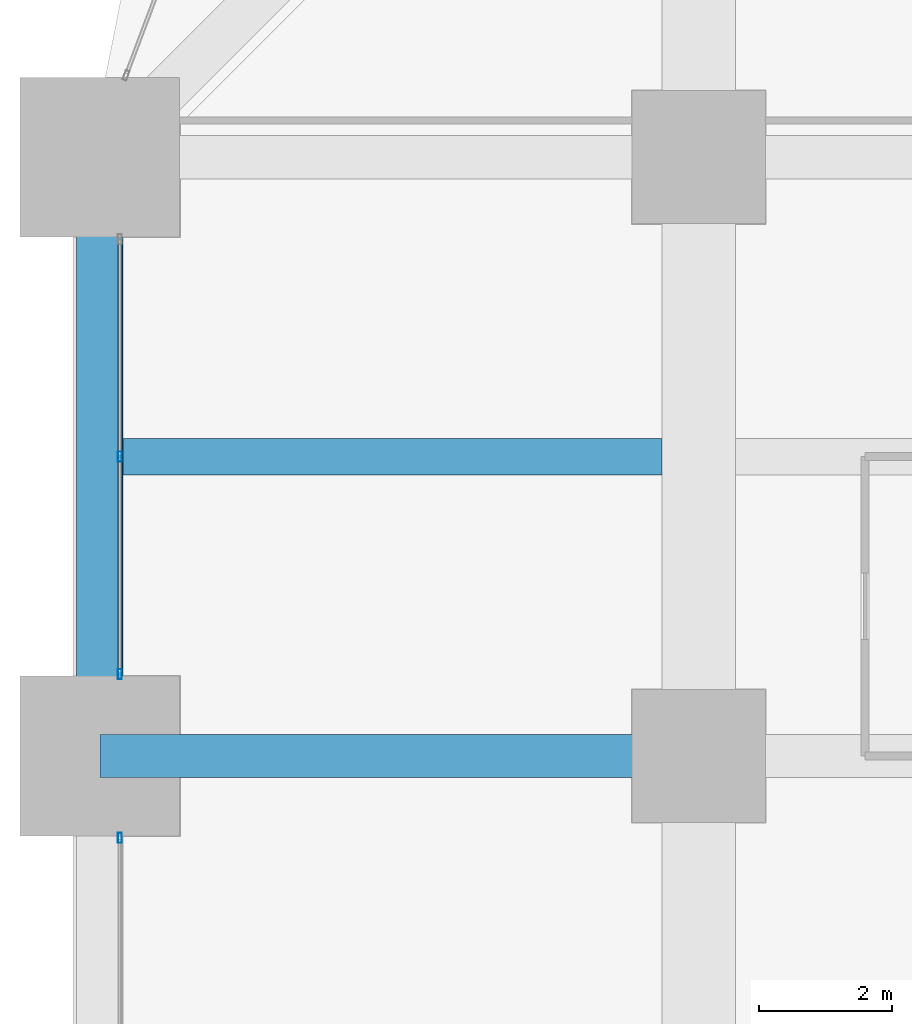
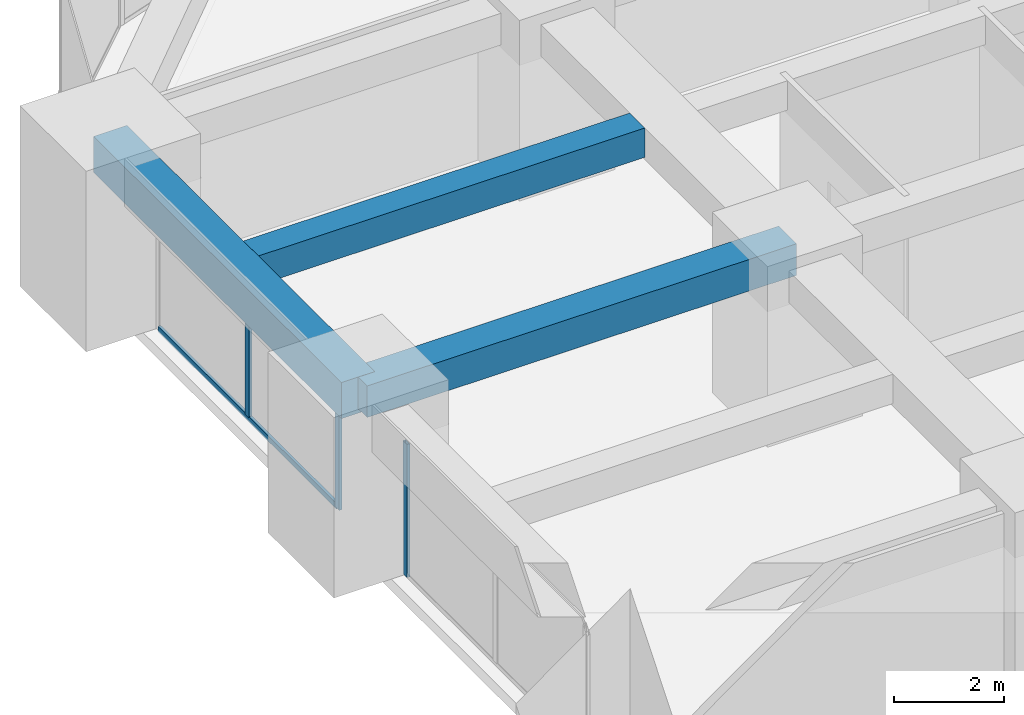
# One storey, part 11 of 39: 4 members, 3 beams, 2 elements without a shape of their own.
"""IFC4 building model written with IfcOpenShell, lengths in metres."""

from ifc_helpers import new_model, si_unit, direction, frame, origin, origin_2d, place, context, subcontext, project, spatial, rectangle, hollow_rectangle, extrude, material, material_profile, profile_set, type_object, element, aggregate, save


model = new_model("IFC4")

# Units and contexts
model_context = context("Model", 3, precision=1e-05, world=origin(), true_north=direction((0.0, 1.0)))
body_context = subcontext(model_context, "Body", "Model", "MODEL_VIEW")
ifc_project = project(units=[si_unit("LENGTHUNIT", "METRE"), si_unit("AREAUNIT", "SQUARE_METRE"), si_unit("VOLUMEUNIT", "CUBIC_METRE"), si_unit("PLANEANGLEUNIT", "RADIAN"), si_unit("MASSUNIT", "GRAM", prefix="KILO")], contexts=[model_context])

# Site, building, storey
site_placement = place(None, origin())
site = spatial("IfcSite", under=ifc_project, at=site_placement, CompositionType="ELEMENT")
building_placement = place(site_placement, origin())
building = spatial("IfcBuilding", under=site, at=building_placement, Name="Zorevar Civic Tower", CompositionType="ELEMENT")
storey_placement = place(building_placement, frame((0.0, 0.0, 117.0)))
storey = spatial("IfcBuildingStorey", under=building, at=storey_placement, Name="L28", CompositionType="ELEMENT", Elevation=117.0)

# Beams
ifc_material_1 = material(Name="Concrete C50/60", Category="concrete")
ifc_material_profile_1 = material_profile(ifc_material_1, rectangle(XDim=0.550048828125, YDim=0.64990234375, at=origin_2d()), Name="RC 550x650")
ifc_profile_set_1 = profile_set([ifc_material_profile_1], Name="Concrete C50/60")
beam_type_1 = type_object("IfcBeamType", Name="Beam RC 550x650", PredefinedType="BEAM", material=ifc_profile_set_1)
beam_1_placement = place(storey_placement, frame((0.35009765625, 31.5, 3.425048828125), z_axis=(1.0, 0.0, 0.0), x_axis=(0.0, 1.0, 0.0)))
element("IfcBeam", 1, at=beam_1_placement, inside=storey, type_object=beam_type_1, Name="Secondary beam L29", PredefinedType="BEAM", context=body_context, shape_type="SweptSolid", body=[
    extrude(rectangle(XDim=0.550048828125, YDim=0.64990234375, at=origin_2d()), origin(), (0.0, 0.0, 1.0), 8.099853515625),
])
ifc_material_2 = material(Name="Concrete C50/60", Category="concrete")
ifc_material_profile_2 = material_profile(ifc_material_2, rectangle(XDim=0.64990234375, YDim=0.699951171875, at=origin_2d()), Name="RC 650x700")
ifc_profile_set_2 = profile_set([ifc_material_profile_2], Name="Concrete C50/60")
beam_type_2 = type_object("IfcBeamType", Name="Beam RC 650x700", PredefinedType="BEAM", material=ifc_profile_set_2)
beam_2_placement = place(storey_placement, frame((0.0, 27.0, 3.39990234375), z_axis=(1.0, 0.0, 0.0), x_axis=(0.0, 1.0, 0.0)))
element("IfcBeam", 2, at=beam_2_placement, inside=storey, type_object=beam_type_2, Name="Girder L29", PredefinedType="BEAM", context=body_context, shape_type="SweptSolid", body=[
    extrude(rectangle(XDim=0.64990234375, YDim=0.699951171875, at=origin_2d()), origin(), (0.0, 0.0, 1.0), 9.0),
])

# Curtain wall, member
ifc_material_3 = material(Name="Dark grey solar-control glass in black aluminium frame", Category="aluminium")
curtain_wall_type = type_object("IfcCurtainWallType", Name="Curtain wall CW3 mid zone", PredefinedType="NOTDEFINED", material=ifc_material_3)
curtain_wall_1_placement = place(storey_placement, origin())
curtain_wall_1 = element("IfcCurtainWall", 3, at=curtain_wall_1_placement, inside=storey, type_object=curtain_wall_type, Name="CW3 L28", PredefinedType="NOTDEFINED")
ifc_material_4 = material(Name="Aluminium, black anodised", Category="aluminium")
ifc_material_profile_3 = material_profile(ifc_material_4, hollow_rectangle(XDim=0.06005859375, YDim=0.14990234375, WallThickness=0.00390625, at=origin_2d()), Name="AL 150x60x4")
ifc_profile_set_3 = profile_set([ifc_material_profile_3], Name="Aluminium, black anodised")
member_type_1 = type_object("IfcMemberType", Name="CW3 mullion AL 150x60x4", PredefinedType="MULLION", material=ifc_profile_set_3)
member_1_placement = place(storey_placement, frame((0.300048828125, 25.77001953125, 0.0), z_axis=(0.0, 0.0, 1.0), x_axis=(-1.0, 0.0, 0.0)))
member_1 = element("IfcMember", 4, at=member_1_placement, type_object=member_type_1, Name="CW3 mullion 3", PredefinedType="MULLION", context=body_context, shape_type="SweptSolid", body=[
    extrude(hollow_rectangle(XDim=0.06005859375, YDim=0.14990234375, WallThickness=0.00390625, at=origin_2d()), origin(), (0.0, 0.0, 1.0), 2.949951171875),
])
aggregate(curtain_wall_1, [member_1])

# Curtain wall, members
curtain_wall_2_placement = place(storey_placement, origin())
curtain_wall_2 = element("IfcCurtainWall", 5, at=curtain_wall_2_placement, inside=storey, type_object=curtain_wall_type, Name="CW3 L28", PredefinedType="NOTDEFINED")
member_2_placement = place(storey_placement, frame((0.300048828125, 28.22998046875, 0.0), z_axis=(0.0, 0.0, 1.0), x_axis=(-1.0, 0.0, 0.0)))
member_2 = element("IfcMember", 6, at=member_2_placement, type_object=member_type_1, Name="CW3 mullion 1", PredefinedType="MULLION", context=body_context, shape_type="SweptSolid", body=[
    extrude(hollow_rectangle(XDim=0.06005859375, YDim=0.14990234375, WallThickness=0.00390625, at=origin_2d()), origin(), (0.0, 0.0, 1.0), 2.949951171875),
])
member_3_placement = place(storey_placement, frame((0.300048828125, 31.5, 0.06005859375), z_axis=(0.0, 0.0, 1.0), x_axis=(-1.0, 0.0, 0.0)))
member_3 = element("IfcMember", 7, at=member_3_placement, type_object=member_type_1, Name="CW3 mullion 2", PredefinedType="MULLION", context=body_context, shape_type="SweptSolid", body=[
    extrude(hollow_rectangle(XDim=0.06005859375, YDim=0.14990234375, WallThickness=0.00390625, at=origin_2d()), origin(), (0.0, 0.0, 1.0), 2.889892578125),
])
ifc_material_5 = material(Name="Aluminium, black anodised", Category="aluminium")
ifc_material_profile_4 = material_profile(ifc_material_5, hollow_rectangle(XDim=0.06005859375, YDim=0.1201171875, WallThickness=0.0029296875, at=origin_2d()), Name="AL 120x60x3")
ifc_profile_set_4 = profile_set([ifc_material_profile_4], Name="Aluminium, black anodised")
member_type_2 = type_object("IfcMemberType", Name="CW3 transom AL 120x60x3", PredefinedType="USERDEFINED", material=ifc_profile_set_4)
member_4_placement = place(storey_placement, frame((0.300048828125, 28.260009765625, 0.030029296875), z_axis=(0.0, 1.0, 0.0), x_axis=(-1.0, 0.0, 0.0)))
member_4 = element("IfcMember", 8, at=member_4_placement, type_object=member_type_2, Name="CW3 sill transom", ObjectType="TRANSOM", PredefinedType="USERDEFINED", context=body_context, shape_type="SweptSolid", body=[
    extrude(hollow_rectangle(XDim=0.06005859375, YDim=0.1201171875, WallThickness=0.0029296875, at=origin_2d()), origin(), (0.0, 0.0, 1.0), 6.47998046875),
])
aggregate(curtain_wall_2, [member_2, member_3, member_4])

# Beam
ifc_material_6 = material(Name="Concrete C50/60", Category="concrete")
ifc_material_profile_5 = material_profile(ifc_material_6, rectangle(XDim=0.699951171875, YDim=0.800048828125, at=origin_2d()), Name="RC 700x800")
ifc_profile_set_5 = profile_set([ifc_material_profile_5], Name="Concrete C50/60")
beam_type_3 = type_object("IfcBeamType", Name="Edge beam RC 700x800", PredefinedType="SPANDREL", material=ifc_profile_set_5)
beam_3_placement = place(storey_placement, frame((0.0, 27.0, 3.35009765625), z_axis=(0.0, 1.0, 0.0), x_axis=(-1.0, 0.0, 0.0)))
element("IfcBeam", 9, at=beam_3_placement, inside=storey, type_object=beam_type_3, Name="Edge beam L29", PredefinedType="SPANDREL", context=body_context, shape_type="SweptSolid", body=[
    extrude(rectangle(XDim=0.699951171875, YDim=0.800048828125, at=origin_2d()), origin(), (0.0, 0.0, 1.0), 9.0),
])

save(model, "model.ifc")
